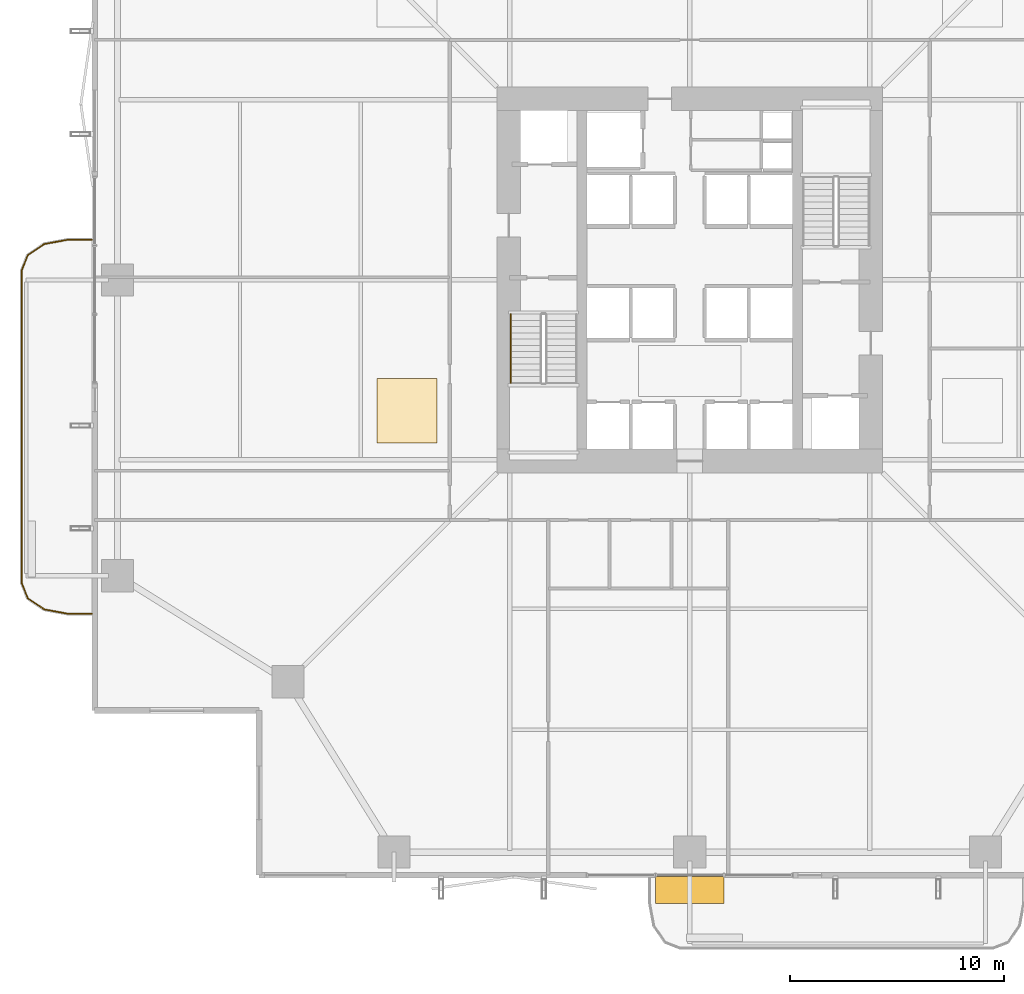
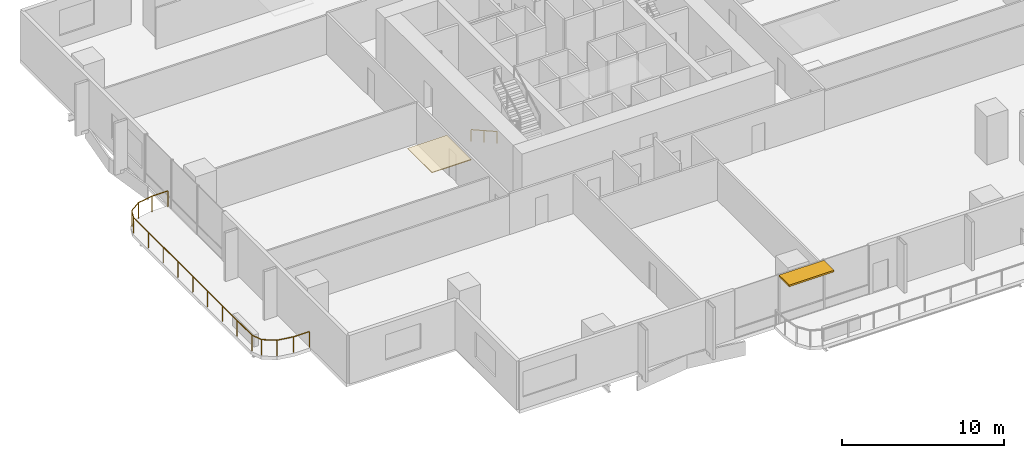
# One storey, part 21 of 24: 2 railings, 1 covering, 1 shading device.
"""IFC4 building model written with IfcOpenShell, lengths in metres."""

from ifc_helpers import new_model, si_unit, direction, frame, origin, origin_2d, place, context, subcontext, project, spatial, polyline, rectangle, outline, extrude, material, layer, layer_set, type_object, element, save


model = new_model("IFC4")

# Units and contexts
model_context = context("Model", 3, precision=1e-05, world=origin(), true_north=direction((0.0, 1.0)))
body_context = subcontext(model_context, "Body", "Model", "MODEL_VIEW")
ifc_project = project(units=[si_unit("LENGTHUNIT", "METRE"), si_unit("AREAUNIT", "SQUARE_METRE"), si_unit("VOLUMEUNIT", "CUBIC_METRE"), si_unit("PLANEANGLEUNIT", "RADIAN"), si_unit("MASSUNIT", "GRAM", prefix="KILO")], contexts=[model_context])

# Site, building, storey
site_placement = place(None, origin())
site = spatial("IfcSite", under=ifc_project, at=site_placement, CompositionType="ELEMENT")
building_placement = place(site_placement, origin())
building = spatial("IfcBuilding", under=site, at=building_placement, Name="Belovzor Exchange Tower", CompositionType="ELEMENT")
storey_placement = place(building_placement, frame((0.0, 0.0, 92.39990234375)))
storey = spatial("IfcBuildingStorey", under=building, at=storey_placement, Name="L22", CompositionType="ELEMENT", Elevation=92.39990234375)

# Railings
ifc_material_1 = material(Name="Stainless Steel Grade 304", Category="steel")
railing_type_1 = type_object("IfcRailingType", Name="Brushed Stainless Steel Stair Handrail 900", PredefinedType="HANDRAIL", material=ifc_material_1)
railing_1_placement = place(storey_placement, frame((20.449951171875, 27.199951171875, 0.16259765625)))
element("IfcRailing", 1, at=railing_1_placement, inside=storey, type_object=railing_type_1, Name="L22 ST-1 stair handrail 1", PredefinedType="HANDRAIL", context=body_context, shape_type="SweptSolid", body=[
    extrude(rectangle(XDim=0.048095703125, YDim=0.048095703125, at=origin_2d()), frame((0.0, 0.0, 0.8759765625), z_axis=(0.0, -0.8723625253, 0.488859514025), x_axis=(1.0, 0.0, 0.0)), (0.0, 0.0, 1.0), 3.65673828125),
    extrude(rectangle(XDim=0.0419921875, YDim=0.0419921875, at=origin_2d()), origin(), (0.0, 0.0, 1.0), 0.851806640625),
    extrude(rectangle(XDim=0.0419921875, YDim=0.0419921875, at=origin_2d()), frame((0.0, -1.594970703125, 0.893798828125)), (0.0, 0.0, 1.0), 0.851806640625),
    extrude(rectangle(XDim=0.0419921875, YDim=0.0419921875, at=origin_2d()), frame((0.0, -3.18994140625, 1.78759765625)), (0.0, 0.0, 1.0), 0.851806640625),
])
ifc_material_2 = material(Name="Stainless Steel and Laminated Safety Glass", Category="steel")
railing_type_2 = type_object("IfcRailingType", Name="Laminated Glass & Stainless Steel Balcony Balustrade 1200", PredefinedType="BALUSTRADE", material=ifc_material_2)
railing_2_placement = place(storey_placement, frame((0.889892578125, 30.669921875, 0.0)))
element("IfcRailing", 2, at=railing_2_placement, inside=storey, type_object=railing_type_2, Name="GR-1 Balcony Balustrade L22 West", PredefinedType="BALUSTRADE", context=body_context, shape_type="SweptSolid", body=[
    extrude(rectangle(XDim=0.048095703125, YDim=0.048095703125, at=origin_2d()), frame((0.0, 0.0, 1.17578125), z_axis=(-1.0, 0.0, 0.0), x_axis=(0.0, -1.0, 0.0)), (0.0, 0.0, 1.0), 1.1328125),
    extrude(rectangle(XDim=0.048095703125, YDim=0.048095703125, at=origin_2d()), frame((-1.1328125, 0.0, 1.17578125), z_axis=(-0.983651385113, -0.180083182347, 0.0), x_axis=(0.180083182347, -0.983651385113, 0.0)), (0.0, 0.0, 1.0), 1.093994140625),
    extrude(rectangle(XDim=0.048095703125, YDim=0.048095703125, at=origin_2d()), frame((-2.208984375, -0.197021484375, 1.17578125), z_axis=(-0.826614792125, -0.562768145367, 0.0), x_axis=(0.562768145367, -0.826614792125, 0.0)), (0.0, 0.0, 1.0), 0.9326171875),
    extrude(rectangle(XDim=0.048095703125, YDim=0.048095703125, at=origin_2d()), frame((-2.97998046875, -0.721923828125, 1.17578125), z_axis=(-0.365612923861, -0.930766990125, 0.0), x_axis=(0.930766990125, -0.365612923861, 0.0)), (0.0, 0.0, 1.0), 0.765869140625),
    extrude(rectangle(XDim=0.048095703125, YDim=0.048095703125, at=origin_2d()), frame((-3.260009765625, -1.434814453125, 1.17578125), z_axis=(0.0, -1.0, 0.0), x_axis=(1.0, 0.0, 0.0)), (0.0, 0.0, 1.0), 14.570068359375),
    extrude(rectangle(XDim=0.048095703125, YDim=0.048095703125, at=origin_2d()), frame((-3.260009765625, -16.0048828125, 1.17578125), z_axis=(0.365504480807, -0.930809580156, 0.0), x_axis=(0.930809580156, 0.365504480807, 0.0)), (0.0, 0.0, 1.0), 0.76611328125),
    extrude(rectangle(XDim=0.048095703125, YDim=0.048095703125, at=origin_2d()), frame((-2.97998046875, -16.718017578125, 1.17578125), z_axis=(0.826614792125, -0.562768145367, 0.0), x_axis=(0.562768145367, 0.826614792125, 0.0)), (0.0, 0.0, 1.0), 0.9326171875),
    extrude(rectangle(XDim=0.048095703125, YDim=0.048095703125, at=origin_2d()), frame((-2.208984375, -17.242919921875, 1.17578125), z_axis=(0.983651385113, -0.180083182347, 0.0), x_axis=(0.180083182347, 0.983651385113, 0.0)), (0.0, 0.0, 1.0), 1.093994140625),
    extrude(rectangle(XDim=0.048095703125, YDim=0.048095703125, at=origin_2d()), frame((-1.1328125, -17.43994140625, 1.17578125), z_axis=(1.0, 0.0, 0.0), x_axis=(0.0, 1.0, 0.0)), (0.0, 0.0, 1.0), 1.1328125),
    extrude(rectangle(XDim=0.0419921875, YDim=0.0419921875, at=origin_2d()), origin(), (0.0, 0.0, 1.0), 1.15185546875),
    extrude(rectangle(XDim=0.0419921875, YDim=0.0419921875, at=origin_2d()), frame((-1.1328125, 0.0, 0.0)), (0.0, 0.0, 1.0), 1.15185546875),
    extrude(rectangle(XDim=0.0419921875, YDim=0.0419921875, at=origin_2d()), frame((-2.208984375, -0.197021484375, 0.0)), (0.0, 0.0, 1.0), 1.15185546875),
    extrude(rectangle(XDim=0.0419921875, YDim=0.0419921875, at=origin_2d()), frame((-2.97998046875, -0.721923828125, 0.0)), (0.0, 0.0, 1.0), 1.15185546875),
    extrude(rectangle(XDim=0.0419921875, YDim=0.0419921875, at=origin_2d()), frame((-3.260009765625, -1.434814453125, 0.0)), (0.0, 0.0, 1.0), 1.15185546875),
    extrude(rectangle(XDim=0.0419921875, YDim=0.0419921875, at=origin_2d()), frame((-3.260009765625, -3.256103515625, 0.0)), (0.0, 0.0, 1.0), 1.15185546875),
    extrude(rectangle(XDim=0.0419921875, YDim=0.0419921875, at=origin_2d()), frame((-3.260009765625, -5.077392578125, 0.0)), (0.0, 0.0, 1.0), 1.15185546875),
    extrude(rectangle(XDim=0.0419921875, YDim=0.0419921875, at=origin_2d()), frame((-3.260009765625, -6.898681640625, 0.0)), (0.0, 0.0, 1.0), 1.15185546875),
    extrude(rectangle(XDim=0.0419921875, YDim=0.0419921875, at=origin_2d()), frame((-3.260009765625, -8.7197265625, 0.0)), (0.0, 0.0, 1.0), 1.15185546875),
    extrude(rectangle(XDim=0.0419921875, YDim=0.0419921875, at=origin_2d()), frame((-3.260009765625, -10.541015625, 0.0)), (0.0, 0.0, 1.0), 1.15185546875),
    extrude(rectangle(XDim=0.0419921875, YDim=0.0419921875, at=origin_2d()), frame((-3.260009765625, -12.3623046875, 0.0)), (0.0, 0.0, 1.0), 1.15185546875),
    extrude(rectangle(XDim=0.0419921875, YDim=0.0419921875, at=origin_2d()), frame((-3.260009765625, -14.18359375, 0.0)), (0.0, 0.0, 1.0), 1.15185546875),
    extrude(rectangle(XDim=0.0419921875, YDim=0.0419921875, at=origin_2d()), frame((-3.260009765625, -16.0048828125, 0.0)), (0.0, 0.0, 1.0), 1.15185546875),
    extrude(rectangle(XDim=0.0419921875, YDim=0.0419921875, at=origin_2d()), frame((-2.97998046875, -16.718017578125, 0.0)), (0.0, 0.0, 1.0), 1.15185546875),
    extrude(rectangle(XDim=0.0419921875, YDim=0.0419921875, at=origin_2d()), frame((-2.208984375, -17.242919921875, 0.0)), (0.0, 0.0, 1.0), 1.15185546875),
    extrude(rectangle(XDim=0.0419921875, YDim=0.0419921875, at=origin_2d()), frame((-1.1328125, -17.43994140625, 0.0)), (0.0, 0.0, 1.0), 1.15185546875),
    extrude(rectangle(XDim=0.0419921875, YDim=0.0419921875, at=origin_2d()), frame((0.0, -17.43994140625, 0.0)), (0.0, 0.0, 1.0), 1.15185546875),
])

# Covering
ifc_material_3 = material(Name="Perforated Powder-Coated Aluminium", Category="aluminium")
ifc_layer_1 = layer(ifc_material_3, 0.06005859375)
ifc_layer_set_1 = layer_set([ifc_layer_1], Name="Perforated Powder-Coated Aluminium")
covering_type = type_object("IfcCoveringType", Name="Perforated Acoustic Metal Tile Suspended Ceiling 60", PredefinedType="CEILING", material=ifc_layer_set_1)
covering_placement = place(storey_placement, frame((0.0, 0.0, 3.590087890625)))
element("IfcCovering", 3, at=covering_placement, inside=storey, type_object=covering_type, Name="CLG-AC60 Suspended Ceiling CLG-L22-Z3", PredefinedType="CEILING", context=body_context, shape_type="SweptSolid", body=[
    extrude(outline(polyline([(14.199951171875, 21.199951171875), (17.0, 21.199951171875), (17.0, 24.199951171875), (14.199951171875, 24.199951171875), (14.199951171875, 21.199951171875)])), origin(), (0.0, 0.0, 1.0), 0.06005859375),
])

# Shading device
ifc_material_4 = material(Name="Extruded Architectural Terracotta", Category="masonry")
ifc_layer_2 = layer(ifc_material_4, 0.1201171875)
ifc_layer_set_2 = layer_set([ifc_layer_2], Name="Extruded Architectural Terracotta")
shading_device_type = type_object("IfcShadingDeviceType", Name="Streamline Terracotta Horizontal Sunshade Hood 1250", PredefinedType="AWNING", material=ifc_layer_set_2)
shading_device_placement = place(storey_placement, frame((28.800048828125, 0.3349609375, 3.530029296875), z_axis=(0.0, 0.0, 1.0), x_axis=(1.0, 0.0, 0.0)))
element("IfcShadingDevice", 4, at=shading_device_placement, inside=storey, type_object=shading_device_type, Name="SHD-TC125 Terracotta Sunshade L22 S", PredefinedType="AWNING", context=body_context, shape_type="SweptSolid", body=[
    extrude(rectangle(XDim=3.199951171875, YDim=1.25, at=origin_2d()), origin(), (0.0, 0.0, 1.0), 0.1201171875),
])

save(model, "model.ifc")
